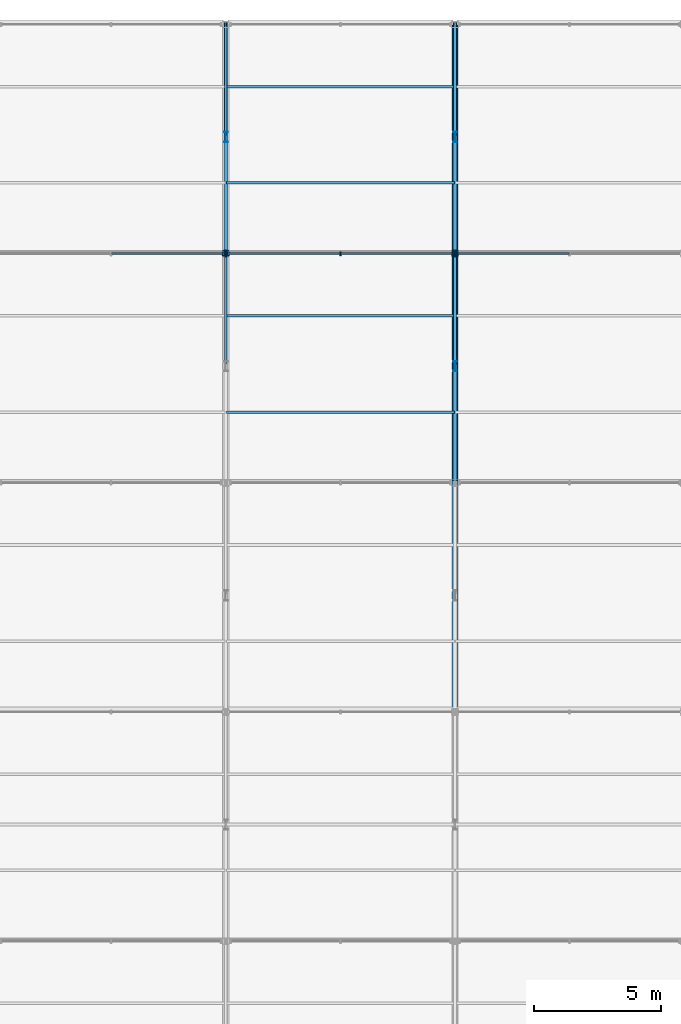
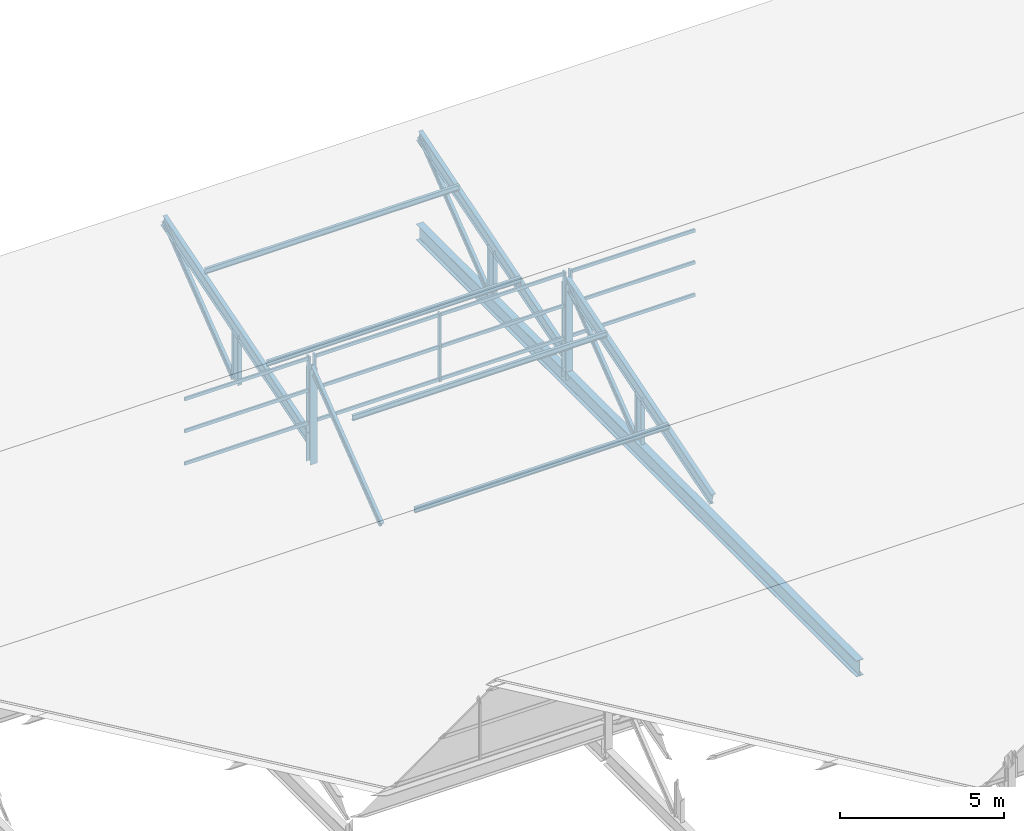
# One storey, part 92 of 163: 33 members, 1 beam, 3 elements without a shape of their own.
"""IFC4 building model written with IfcOpenShell, lengths in metres."""

from ifc_helpers import new_model, si_unit, direction, frame, origin, origin_2d, place, context, subcontext, project, spatial, rectangle, i_section, extrude, material, material_profile, profile_set, type_object, element, aggregate, save


model = new_model("IFC4")

# Units and contexts
model_context = context("Model", 3, precision=1e-05, world=origin(), true_north=direction((0.0, 1.0)))
body_context = subcontext(model_context, "Body", "Model", "MODEL_VIEW")
ifc_project = project(units=[si_unit("LENGTHUNIT", "METRE"), si_unit("AREAUNIT", "SQUARE_METRE"), si_unit("VOLUMEUNIT", "CUBIC_METRE"), si_unit("PLANEANGLEUNIT", "RADIAN"), si_unit("MASSUNIT", "GRAM", prefix="KILO")], contexts=[model_context])

# Site, building, storey
site_placement = place(None, origin())
site = spatial("IfcSite", under=ifc_project, at=site_placement, CompositionType="ELEMENT")
building_placement = place(site_placement, origin())
building = spatial("IfcBuilding", under=site, at=building_placement, Name="Tharagai Park Tramway Depot", CompositionType="ELEMENT")
storey_placement = place(building_placement, frame((0.0, 0.0, 8.39990234375)))
storey = spatial("IfcBuildingStorey", under=building, at=storey_placement, Name="L02", CompositionType="ELEMENT", Elevation=8.39990234375)

# Beam
ifc_material_1 = material(Name="Steel E350", Category="steel")
ifc_material_profile_1 = material_profile(ifc_material_1, i_section(OverallWidth=0.25, OverallDepth=0.60009765625, WebThickness=0.01171875, FlangeThickness=0.023681640625, FilletRadius=0.01708984375, at=origin_2d()), Name="ISWB 600")
ifc_profile_set_1 = profile_set([ifc_material_profile_1], Name="Steel E350")
beam_type = type_object("IfcBeamType", Name="BM-01", PredefinedType="BEAM", material=ifc_profile_set_1)
beam_placement = place(storey_placement, frame((27.0, 117.080078125, -0.25), z_axis=(0.0, 1.0, 0.0), x_axis=(-1.0, 0.0, 0.0)))
element("IfcBeam", 1, at=beam_placement, inside=storey, type_object=beam_type, Name="Sawtooth Truss Bottom Tie Girder BM-01", PredefinedType="BEAM", context=body_context, shape_type="SweptSolid", body=[
    extrude(i_section(OverallWidth=0.25, OverallDepth=0.60009765625, WebThickness=0.01171875, FlangeThickness=0.023681640625, FilletRadius=0.01708984375, at=origin_2d()), origin(), (0.0, 0.0, 1.0), 26.83984375),
])

# Members
ifc_material_profile_2 = material_profile(ifc_material_1, i_section(OverallWidth=0.25, OverallDepth=0.25, WebThickness=0.0087890625, FlangeThickness=0.009765625, FilletRadius=0.010009765625, at=origin_2d()), Name="ISHB 250")
ifc_profile_set_2 = profile_set([ifc_material_profile_2], Name="Steel E350")
member_type_1 = type_object("IfcMemberType", Name="BR-01", PredefinedType="BRACE", material=ifc_profile_set_2)
for number, where, z_axis, x_axis, name in (
    (2, (18.0, 134.919921875, -0.25), (0.0, 0.0, 1.0), (1.0, 0.0, 0.0), "Sawtooth North Vertical Post BR-01"),
    (3, (27.0, 134.919921875, -0.25), (0.0, 0.0, 1.0), (1.0, 0.0, 0.0), "Sawtooth North Vertical Post BR-01"),
):
    element("IfcMember", number, at=place(storey_placement, frame(where, z_axis=z_axis, x_axis=x_axis)), inside=storey, type_object=member_type_1, Name=name, PredefinedType="BRACE", context=body_context, shape_type="SweptSolid", body=[
        extrude(i_section(OverallWidth=0.25, OverallDepth=0.25, WebThickness=0.0087890625, FlangeThickness=0.009765625, FilletRadius=0.010009765625, at=origin_2d()), origin(), (0.0, 0.0, 1.0), 3.55517578125),
    ])
ifc_material_profile_3 = material_profile(ifc_material_1, i_section(OverallWidth=0.110107421875, OverallDepth=0.22509765625, WebThickness=0.006591796875, FlangeThickness=0.01171875, FilletRadius=0.011962890625, at=origin_2d()), Name="ISMB 225")
ifc_profile_set_3 = profile_set([ifc_material_profile_3], Name="Steel E350")
member_type_2 = type_object("IfcMemberType", Name="BR-04", PredefinedType="BRACE", material=ifc_profile_set_3)
for number, where, z_axis, x_axis, name in (
    (4, (18.0, 130.64990234375, 0.0), (0.0, 0.790781596, 0.612098413188), (-1.0, 0.0, 0.0), "Sawtooth Truss Web Diagonal BR-04"),
    (5, (18.0, 139.64990234375, 0.0), (0.0, 0.790781596, 0.612098413188), (-1.0, 0.0, 0.0), "Sawtooth Truss Web Diagonal BR-04"),
    (6, (27.0, 130.64990234375, 0.0), (0.0, 0.790781596, 0.612098413188), (-1.0, 0.0, 0.0), "Sawtooth Truss Web Diagonal BR-04"),
    (7, (27.0, 139.64990234375, 0.0), (0.0, 0.790781596, 0.612098413188), (-1.0, 0.0, 0.0), "Sawtooth Truss Web Diagonal BR-04"),
):
    element("IfcMember", number, at=place(storey_placement, frame(where, z_axis=z_axis, x_axis=x_axis)), inside=storey, type_object=member_type_2, Name=name, PredefinedType="BRACE", context=body_context, shape_type="SweptSolid", body=[
        extrude(i_section(OverallWidth=0.110107421875, OverallDepth=0.22509765625, WebThickness=0.006591796875, FlangeThickness=0.01171875, FilletRadius=0.011962890625, at=origin_2d()), origin(), (0.0, 0.0, 1.0), 5.399658203125),
    ])

# Curtain wall, members
ifc_material_2 = material(Name="Anodised aluminium", Category="aluminium")
curtain_wall_type = type_object("IfcCurtainWallType", Name="CW-04", PredefinedType="NOTDEFINED", material=ifc_material_2)
curtain_wall_1_placement = place(storey_placement, origin())
curtain_wall_1 = element("IfcCurtainWall", 8, at=curtain_wall_1_placement, inside=storey, type_object=curtain_wall_type, Name="Sawtooth North-Light Clerestory CW-04", PredefinedType="NOTDEFINED")
ifc_material_profile_4 = material_profile(ifc_material_2, rectangle(XDim=0.06494140625, YDim=0.1201171875, at=origin_2d()), Name="ALU 65x120")
ifc_profile_set_4 = profile_set([ifc_material_profile_4], Name="Anodised aluminium")
member_type_3 = type_object("IfcMemberType", Name="CM-01", PredefinedType="USERDEFINED", material=ifc_profile_set_4)
member_1_placement = place(storey_placement, frame((13.514892578125, 134.919921875, 1.26513671875), z_axis=(1.0, 0.0, 0.0), x_axis=(0.0, 1.0, 0.0)))
member_1 = element("IfcMember", 9, at=member_1_placement, type_object=member_type_3, Name="Sawtooth North-Light Clerestory Transom 2.1", ObjectType="TRANSOM", PredefinedType="USERDEFINED", context=body_context, shape_type="SweptSolid", body=[
    extrude(rectangle(XDim=0.06494140625, YDim=0.1201171875, at=origin_2d()), origin(), (0.0, 0.0, 1.0), 4.3701171875),
])
member_2_placement = place(storey_placement, frame((13.514892578125, 134.919921875, 2.4736328125), z_axis=(1.0, 0.0, 0.0), x_axis=(0.0, 1.0, 0.0)))
member_2 = element("IfcMember", 10, at=member_2_placement, type_object=member_type_3, Name="Sawtooth North-Light Clerestory Transom 2.2", ObjectType="TRANSOM", PredefinedType="USERDEFINED", context=body_context, shape_type="SweptSolid", body=[
    extrude(rectangle(XDim=0.06494140625, YDim=0.1201171875, at=origin_2d()), origin(), (0.0, 0.0, 1.0), 4.3701171875),
])
member_3_placement = place(storey_placement, frame((13.514892578125, 134.919921875, 3.662353515625), z_axis=(1.0, 0.0, 0.0), x_axis=(0.0, 1.0, 0.0)))
member_3 = element("IfcMember", 11, at=member_3_placement, type_object=member_type_3, Name="Sawtooth North-Light Clerestory Transom 2.3", ObjectType="TRANSOM", PredefinedType="USERDEFINED", context=body_context, shape_type="SweptSolid", body=[
    extrude(rectangle(XDim=0.06494140625, YDim=0.1201171875, at=origin_2d()), origin(), (0.0, 0.0, 1.0), 4.3701171875),
])

curtain_wall_2_placement = place(storey_placement, origin())
curtain_wall_2 = element("IfcCurtainWall", 12, at=curtain_wall_2_placement, inside=storey, type_object=curtain_wall_type, Name="Sawtooth North-Light Clerestory CW-04", PredefinedType="NOTDEFINED")
member_4_placement = place(storey_placement, frame((18.114990234375, 134.919921875, 1.26513671875), z_axis=(1.0, 0.0, 0.0), x_axis=(0.0, 1.0, 0.0)))
member_4 = element("IfcMember", 13, at=member_4_placement, type_object=member_type_3, Name="Sawtooth North-Light Clerestory Transom 1.1", ObjectType="TRANSOM", PredefinedType="USERDEFINED", context=body_context, shape_type="SweptSolid", body=[
    extrude(rectangle(XDim=0.06494140625, YDim=0.1201171875, at=origin_2d()), origin(), (0.0, 0.0, 1.0), 4.3701171875),
])
member_5_placement = place(storey_placement, frame((18.114990234375, 134.919921875, 2.4736328125), z_axis=(1.0, 0.0, 0.0), x_axis=(0.0, 1.0, 0.0)))
member_5 = element("IfcMember", 14, at=member_5_placement, type_object=member_type_3, Name="Sawtooth North-Light Clerestory Transom 1.2", ObjectType="TRANSOM", PredefinedType="USERDEFINED", context=body_context, shape_type="SweptSolid", body=[
    extrude(rectangle(XDim=0.06494140625, YDim=0.1201171875, at=origin_2d()), origin(), (0.0, 0.0, 1.0), 4.3701171875),
])
member_6_placement = place(storey_placement, frame((18.114990234375, 134.919921875, 3.662353515625), z_axis=(1.0, 0.0, 0.0), x_axis=(0.0, 1.0, 0.0)))
member_6 = element("IfcMember", 15, at=member_6_placement, type_object=member_type_3, Name="Sawtooth North-Light Clerestory Transom 1.3", ObjectType="TRANSOM", PredefinedType="USERDEFINED", context=body_context, shape_type="SweptSolid", body=[
    extrude(rectangle(XDim=0.06494140625, YDim=0.1201171875, at=origin_2d()), origin(), (0.0, 0.0, 1.0), 4.3701171875),
])
member_7_placement = place(storey_placement, frame((22.514892578125, 134.919921875, 1.26513671875), z_axis=(1.0, 0.0, 0.0), x_axis=(0.0, 1.0, 0.0)))
member_7 = element("IfcMember", 16, at=member_7_placement, type_object=member_type_3, Name="Sawtooth North-Light Clerestory Transom 2.1", ObjectType="TRANSOM", PredefinedType="USERDEFINED", context=body_context, shape_type="SweptSolid", body=[
    extrude(rectangle(XDim=0.06494140625, YDim=0.1201171875, at=origin_2d()), origin(), (0.0, 0.0, 1.0), 4.3701171875),
])
member_8_placement = place(storey_placement, frame((22.514892578125, 134.919921875, 2.4736328125), z_axis=(1.0, 0.0, 0.0), x_axis=(0.0, 1.0, 0.0)))
member_8 = element("IfcMember", 17, at=member_8_placement, type_object=member_type_3, Name="Sawtooth North-Light Clerestory Transom 2.2", ObjectType="TRANSOM", PredefinedType="USERDEFINED", context=body_context, shape_type="SweptSolid", body=[
    extrude(rectangle(XDim=0.06494140625, YDim=0.1201171875, at=origin_2d()), origin(), (0.0, 0.0, 1.0), 4.3701171875),
])
member_9_placement = place(storey_placement, frame((22.514892578125, 134.919921875, 3.662353515625), z_axis=(1.0, 0.0, 0.0), x_axis=(0.0, 1.0, 0.0)))
member_9 = element("IfcMember", 18, at=member_9_placement, type_object=member_type_3, Name="Sawtooth North-Light Clerestory Transom 2.3", ObjectType="TRANSOM", PredefinedType="USERDEFINED", context=body_context, shape_type="SweptSolid", body=[
    extrude(rectangle(XDim=0.06494140625, YDim=0.1201171875, at=origin_2d()), origin(), (0.0, 0.0, 1.0), 4.3701171875),
])

curtain_wall_3_placement = place(storey_placement, origin())
curtain_wall_3 = element("IfcCurtainWall", 19, at=curtain_wall_3_placement, inside=storey, type_object=curtain_wall_type, Name="Sawtooth North-Light Clerestory CW-04", PredefinedType="NOTDEFINED")
member_10_placement = place(storey_placement, frame((27.114990234375, 134.919921875, 1.26513671875), z_axis=(1.0, 0.0, 0.0), x_axis=(0.0, 1.0, 0.0)))
member_10 = element("IfcMember", 20, at=member_10_placement, type_object=member_type_3, Name="Sawtooth North-Light Clerestory Transom 1.1", ObjectType="TRANSOM", PredefinedType="USERDEFINED", context=body_context, shape_type="SweptSolid", body=[
    extrude(rectangle(XDim=0.06494140625, YDim=0.1201171875, at=origin_2d()), origin(), (0.0, 0.0, 1.0), 4.3701171875),
])
member_11_placement = place(storey_placement, frame((27.114990234375, 134.919921875, 2.4736328125), z_axis=(1.0, 0.0, 0.0), x_axis=(0.0, 1.0, 0.0)))
member_11 = element("IfcMember", 21, at=member_11_placement, type_object=member_type_3, Name="Sawtooth North-Light Clerestory Transom 1.2", ObjectType="TRANSOM", PredefinedType="USERDEFINED", context=body_context, shape_type="SweptSolid", body=[
    extrude(rectangle(XDim=0.06494140625, YDim=0.1201171875, at=origin_2d()), origin(), (0.0, 0.0, 1.0), 4.3701171875),
])
member_12_placement = place(storey_placement, frame((27.114990234375, 134.919921875, 3.662353515625), z_axis=(1.0, 0.0, 0.0), x_axis=(0.0, 1.0, 0.0)))
member_12 = element("IfcMember", 22, at=member_12_placement, type_object=member_type_3, Name="Sawtooth North-Light Clerestory Transom 1.3", ObjectType="TRANSOM", PredefinedType="USERDEFINED", context=body_context, shape_type="SweptSolid", body=[
    extrude(rectangle(XDim=0.06494140625, YDim=0.1201171875, at=origin_2d()), origin(), (0.0, 0.0, 1.0), 4.3701171875),
])

# Member
ifc_material_profile_5 = material_profile(ifc_material_2, rectangle(XDim=0.06494140625, YDim=0.14990234375, at=origin_2d()), Name="ALU 65x150")
ifc_profile_set_5 = profile_set([ifc_material_profile_5], Name="Anodised aluminium")
member_type_4 = type_object("IfcMemberType", Name="CM-03", PredefinedType="MULLION", material=ifc_profile_set_5)
member_13_placement = place(storey_placement, frame((17.89990234375, 134.919921875, 1.2001953125), z_axis=(0.0, 0.0, 1.0), x_axis=(1.0, 0.0, 0.0)))
member_13 = element("IfcMember", 23, at=member_13_placement, type_object=member_type_4, Name="Sawtooth North-Light Clerestory Mullion 3", PredefinedType="MULLION", context=body_context, shape_type="SweptSolid", body=[
    extrude(rectangle(XDim=0.06494140625, YDim=0.14990234375, at=origin_2d()), origin(), (0.0, 0.0, 1.0), 2.547119140625),
])

aggregate(curtain_wall_1, [member_13, member_1, member_2, member_3])

member_14_placement = place(storey_placement, frame((18.10009765625, 134.919921875, 1.2001953125), z_axis=(0.0, 0.0, 1.0), x_axis=(1.0, 0.0, 0.0)))
member_14 = element("IfcMember", 24, at=member_14_placement, type_object=member_type_4, Name="Sawtooth North-Light Clerestory Mullion 1", PredefinedType="MULLION", context=body_context, shape_type="SweptSolid", body=[
    extrude(rectangle(XDim=0.06494140625, YDim=0.14990234375, at=origin_2d()), origin(), (0.0, 0.0, 1.0), 2.547119140625),
])

member_15_placement = place(storey_placement, frame((22.5, 134.919921875, 1.2001953125), z_axis=(0.0, 0.0, 1.0), x_axis=(1.0, 0.0, 0.0)))
member_15 = element("IfcMember", 25, at=member_15_placement, type_object=member_type_4, Name="Sawtooth North-Light Clerestory Mullion 2", PredefinedType="MULLION", context=body_context, shape_type="SweptSolid", body=[
    extrude(rectangle(XDim=0.06494140625, YDim=0.14990234375, at=origin_2d()), origin(), (0.0, 0.0, 1.0), 2.547119140625),
])

member_16_placement = place(storey_placement, frame((26.89990234375, 134.919921875, 1.2001953125), z_axis=(0.0, 0.0, 1.0), x_axis=(1.0, 0.0, 0.0)))
member_16 = element("IfcMember", 26, at=member_16_placement, type_object=member_type_4, Name="Sawtooth North-Light Clerestory Mullion 3", PredefinedType="MULLION", context=body_context, shape_type="SweptSolid", body=[
    extrude(rectangle(XDim=0.06494140625, YDim=0.14990234375, at=origin_2d()), origin(), (0.0, 0.0, 1.0), 2.547119140625),
])

aggregate(curtain_wall_2, [member_14, member_15, member_16, member_4, member_5, member_6, member_7, member_8, member_9])

member_17_placement = place(storey_placement, frame((27.10009765625, 134.919921875, 1.2001953125), z_axis=(0.0, 0.0, 1.0), x_axis=(1.0, 0.0, 0.0)))
member_17 = element("IfcMember", 27, at=member_17_placement, type_object=member_type_4, Name="Sawtooth North-Light Clerestory Mullion 1", PredefinedType="MULLION", context=body_context, shape_type="SweptSolid", body=[
    extrude(rectangle(XDim=0.06494140625, YDim=0.14990234375, at=origin_2d()), origin(), (0.0, 0.0, 1.0), 2.547119140625),
])

aggregate(curtain_wall_3, [member_17, member_10, member_11, member_12])

# Members
ifc_material_3 = material(Name="Steel E250", Category="steel")
ifc_material_profile_6 = material_profile(ifc_material_3, i_section(OverallWidth=0.10009765625, OverallDepth=0.199951171875, WebThickness=0.00537109375, FlangeThickness=0.00732421875, FilletRadius=0.009033203125, at=origin_2d()), Name="ISLB 200")
ifc_profile_set_6 = profile_set([ifc_material_profile_6], Name="Steel E250")
member_type_5 = type_object("IfcMemberType", Name="PR-03", PredefinedType="PURLIN", material=ifc_profile_set_6)
for number, where, z_axis, x_axis, name in (
    (28, (18.02001953125, 137.699951171875, 1.733154296875), (1.0, 0.0, 0.0), (0.0, 1.0, 0.0), "Sawtooth Roof Purlin PR-03"),
    (29, (18.02001953125, 141.47998046875, 2.87451171875), (1.0, 0.0, 0.0), (0.0, 1.0, 0.0), "Sawtooth Roof Purlin PR-03"),
):
    element("IfcMember", number, at=place(storey_placement, frame(where, z_axis=z_axis, x_axis=x_axis)), inside=storey, type_object=member_type_5, Name=name, PredefinedType="PURLIN", context=body_context, shape_type="SweptSolid", body=[
        extrude(i_section(OverallWidth=0.10009765625, OverallDepth=0.199951171875, WebThickness=0.00537109375, FlangeThickness=0.00732421875, FilletRadius=0.009033203125, at=origin_2d()), origin(), (0.0, 0.0, 1.0), 8.9599609375),
    ])
ifc_material_profile_7 = material_profile(ifc_material_3, i_section(OverallWidth=0.10009765625, OverallDepth=0.199951171875, WebThickness=0.005615234375, FlangeThickness=0.0107421875, FilletRadius=0.010986328125, at=origin_2d()), Name="ISMB 200")
ifc_profile_set_7 = profile_set([ifc_material_profile_7], Name="Steel E250")
member_type_6 = type_object("IfcMemberType", Name="PR-04", PredefinedType="PURLIN", material=ifc_profile_set_7)
for number, where, z_axis, x_axis, name in (
    (30, (18.02001953125, 128.699951171875, 1.733154296875), (1.0, 0.0, 0.0), (0.0, 1.0, 0.0), "Sawtooth Roof Purlin PR-04"),
    (31, (18.02001953125, 132.47998046875, 2.87451171875), (1.0, 0.0, 0.0), (0.0, 1.0, 0.0), "Sawtooth Roof Purlin PR-04"),
):
    element("IfcMember", number, at=place(storey_placement, frame(where, z_axis=z_axis, x_axis=x_axis)), inside=storey, type_object=member_type_6, Name=name, PredefinedType="PURLIN", context=body_context, shape_type="SweptSolid", body=[
        extrude(i_section(OverallWidth=0.10009765625, OverallDepth=0.199951171875, WebThickness=0.005615234375, FlangeThickness=0.0107421875, FilletRadius=0.010986328125, at=origin_2d()), origin(), (0.0, 0.0, 1.0), 8.9599609375),
    ])
ifc_material_profile_8 = material_profile(ifc_material_1, i_section(OverallWidth=0.14990234375, OverallDepth=0.449951171875, WebThickness=0.009521484375, FlangeThickness=0.017333984375, FilletRadius=0.014892578125, at=origin_2d()), Name="ISMB 450")
ifc_profile_set_8 = profile_set([ifc_material_profile_8], Name="Steel E350")
member_type_7 = type_object("IfcMemberType", Name="TC-05", PredefinedType="CHORD", material=ifc_profile_set_8)
for number, where, z_axis, x_axis, name in (
    (32, (18.0, 135.06005859375, 0.587890625), (0.0, 0.956231486327, 0.29261125159), (-1.0, 0.0, 0.0), "Sawtooth Top Chord TC-05"),
    (33, (27.0, 126.06005859375, 0.587890625), (0.0, 0.956231486327, 0.29261125159), (-1.0, 0.0, 0.0), "Sawtooth Top Chord TC-05"),
    (34, (27.0, 135.06005859375, 0.587890625), (0.0, 0.956231486327, 0.29261125159), (-1.0, 0.0, 0.0), "Sawtooth Top Chord TC-05"),
):
    element("IfcMember", number, at=place(storey_placement, frame(where, z_axis=z_axis, x_axis=x_axis)), inside=storey, type_object=member_type_7, Name=name, PredefinedType="CHORD", context=body_context, shape_type="SweptSolid", body=[
        extrude(i_section(OverallWidth=0.14990234375, OverallDepth=0.449951171875, WebThickness=0.009521484375, FlangeThickness=0.017333984375, FilletRadius=0.014892578125, at=origin_2d()), origin(), (0.0, 0.0, 1.0), 9.286376953125),
    ])
ifc_material_profile_9 = material_profile(ifc_material_1, i_section(OverallWidth=0.139892578125, OverallDepth=0.39990234375, WebThickness=0.0087890625, FlangeThickness=0.01611328125, FilletRadius=0.013916015625, at=origin_2d()), Name="ISMB 400")
ifc_profile_set_9 = profile_set([ifc_material_profile_9], Name="Steel E350")
member_type_8 = type_object("IfcMemberType", Name="TC-06", PredefinedType="CHORD", material=ifc_profile_set_9)
for number, where, z_axis, x_axis, name in (
    (35, (18.0, 139.5, -0.0498046875), (0.0, 0.0, 1.0), (1.0, 0.0, 0.0), "Sawtooth Mid-Tooth Strut TC-06"),
    (36, (27.0, 130.5, -0.0498046875), (0.0, 0.0, 1.0), (1.0, 0.0, 0.0), "Sawtooth Mid-Tooth Strut TC-06"),
    (37, (27.0, 139.5, -0.0498046875), (0.0, 0.0, 1.0), (1.0, 0.0, 0.0), "Sawtooth Mid-Tooth Strut TC-06"),
):
    element("IfcMember", number, at=place(storey_placement, frame(where, z_axis=z_axis, x_axis=x_axis)), inside=storey, type_object=member_type_8, Name=name, PredefinedType="CHORD", context=body_context, shape_type="SweptSolid", body=[
        extrude(i_section(OverallWidth=0.139892578125, OverallDepth=0.39990234375, WebThickness=0.0087890625, FlangeThickness=0.01611328125, FilletRadius=0.013916015625, at=origin_2d()), origin(), (0.0, 0.0, 1.0), 1.846435546875),
    ])

save(model, "model.ifc")
